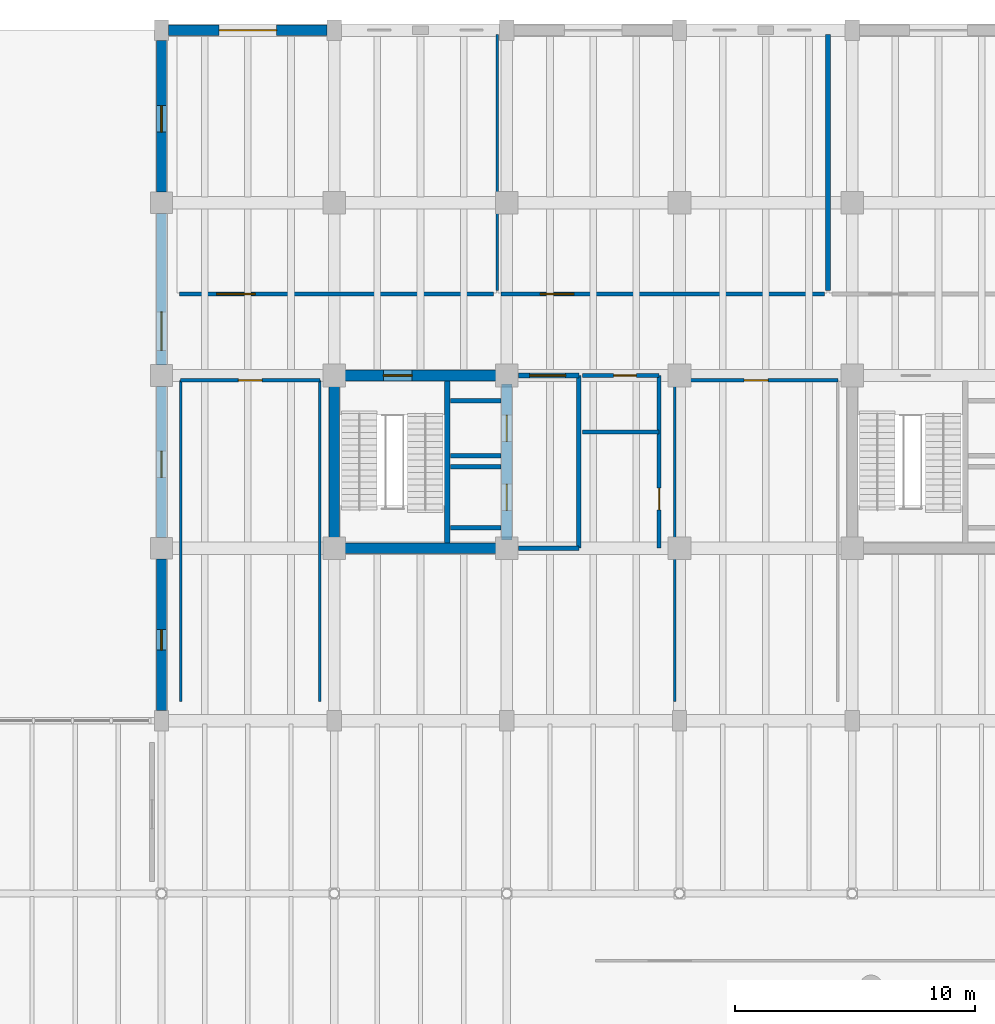
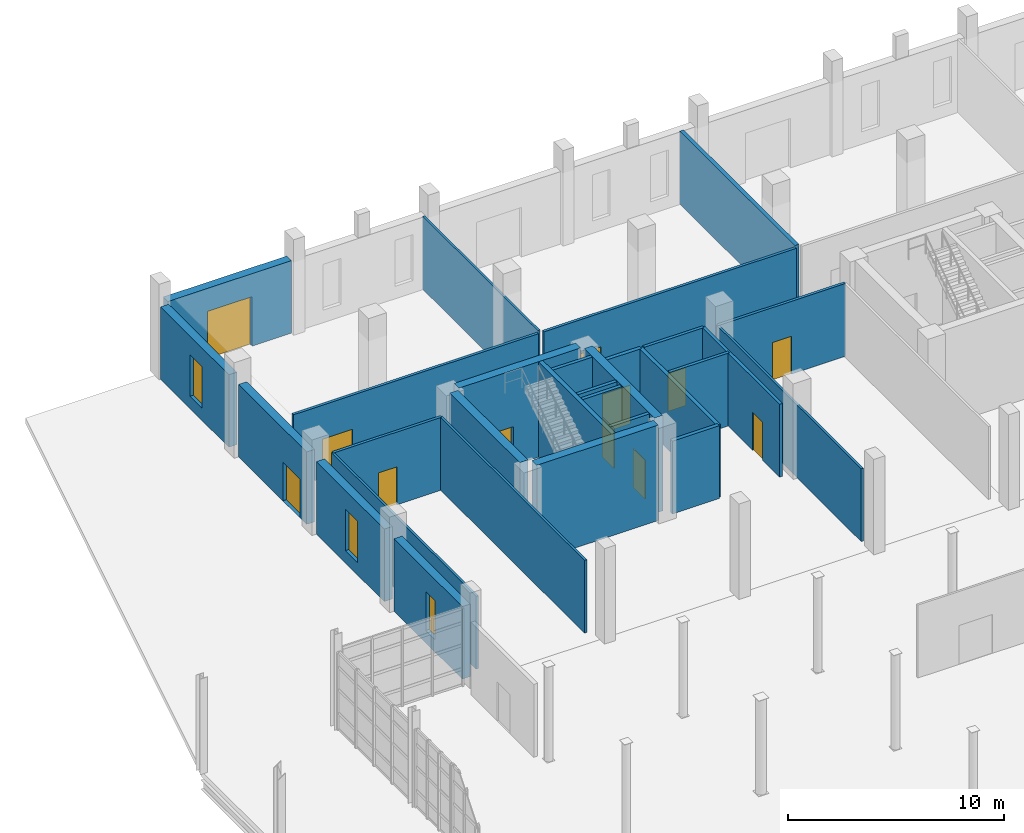
# One storey, part 67 of 79: 29 walls, 12 doors, 3 windows, 15 openings.
"""IFC4 building model written with IfcOpenShell, lengths in metres."""

from ifc_helpers import new_model, si_unit, direction, frame, frame_2d, origin, place, context, subcontext, project, spatial, rectangle, extrude, material, layer, layer_set, type_object, element, fill, save


model = new_model("IFC4")

# Units and contexts
model_context = context("Model", 3, precision=1e-05, world=origin(), true_north=direction((0.0, 1.0)))
body_context = subcontext(model_context, "Body", "Model", "MODEL_VIEW")
ifc_project = project(units=[si_unit("LENGTHUNIT", "METRE"), si_unit("AREAUNIT", "SQUARE_METRE"), si_unit("VOLUMEUNIT", "CUBIC_METRE"), si_unit("PLANEANGLEUNIT", "RADIAN"), si_unit("MASSUNIT", "GRAM", prefix="KILO")], contexts=[model_context])

# Site, building, storey
site_placement = place(None, origin())
site = spatial("IfcSite", under=ifc_project, at=site_placement, CompositionType="ELEMENT")
building_placement = place(site_placement, origin())
building = spatial("IfcBuilding", under=site, at=building_placement, Name="Qiaolan Assembly House", CompositionType="ELEMENT")
storey_placement = place(building_placement, origin())
storey = spatial("IfcBuildingStorey", under=building, at=storey_placement, Name="L00", CompositionType="ELEMENT", Elevation=0.0)

# Wall
ifc_material_1 = material(Name="Concrete C50/60", Category="concrete")
ifc_layer_1 = layer(ifc_material_1, 0.449951171875)
ifc_layer_set_1 = layer_set([ifc_layer_1], Name="Concrete C50/60")
wall_type_1 = type_object("IfcWallType", Name="WAL-CORE-450", PredefinedType="SHEAR", material=ifc_layer_set_1)
wall_1_placement = place(storey_placement, frame((43.550048828125, 93.60009765625, 0.0), z_axis=(0.0, 0.0, 1.0), x_axis=(1.0, 0.0, 0.0)))
element("IfcWall", 1, at=wall_1_placement, inside=storey, type_object=wall_type_1, Name="CW-450 shear core wall CORE-A S L00", PredefinedType="SHEAR", context=body_context, shape_type="SweptSolid", body=[
    extrude(rectangle(XDim=6.5, YDim=0.449951171875, at=frame_2d((3.25, 0.0))), origin(), (0.0, 0.0, 1.0), 5.39990234375),
])

# Wall, openings, doors
wall_2_placement = place(storey_placement, frame((50.39990234375, 93.949951171875, 0.0), z_axis=(0.0, 0.0, 1.0), x_axis=(0.0, 1.0, 0.0)))
wall_2 = element("IfcWall", 2, at=wall_2_placement, inside=storey, type_object=wall_type_1, Name="CW-450 shear core wall CORE-A E L00", PredefinedType="SHEAR", context=body_context, shape_type="SweptSolid", body=[
    extrude(rectangle(XDim=6.5, YDim=0.449951171875, at=frame_2d((3.25, 0.0))), origin(), (0.0, 0.0, 1.0), 5.39990234375),
])
opening_1_placement = place(wall_2_placement, frame((1.22509765625, 0.0, 0.0)))
opening_1 = element("IfcOpeningElement", 3, at=opening_1_placement, cuts=wall_2, Name="Opening LD-002", PredefinedType="OPENING", context=body_context, shape_type="SweptSolid", body=[
    extrude(rectangle(XDim=1.10009765625, YDim=2.199951171875, at=frame_2d((0.550048828125, 1.10009765625))), frame((0.0, 0.23486328125, 0.0), z_axis=(0.0, -1.0, 0.0), x_axis=(1.0, 0.0, 0.0)), (0.0, 0.0, 1.0), 0.469970703125),
])
opening_2_placement = place(wall_2_placement, frame((4.10009765625, 0.0, 0.0)))
opening_2 = element("IfcOpeningElement", 4, at=opening_2_placement, cuts=wall_2, Name="Opening LD-011", PredefinedType="OPENING", context=body_context, shape_type="SweptSolid", body=[
    extrude(rectangle(XDim=1.10009765625, YDim=2.199951171875, at=frame_2d((0.550048828125, 1.10009765625))), frame((0.0, 0.23486328125, 0.0), z_axis=(0.0, -1.0, 0.0), x_axis=(1.0, 0.0, 0.0)), (0.0, 0.0, 1.0), 0.469970703125),
])
ifc_material_2 = material(Name="Anodised bronze aluminium", Category="aluminium")
door_type_1 = type_object("IfcDoorType", Name="DOR-LIFT-LD1100", OperationType="SLIDING_TO_LEFT", PredefinedType="DOOR", material=ifc_material_2)
door_1_placement = place(opening_1_placement, origin())
door_1 = element("IfcDoor", 5, at=door_1_placement, inside=storey, type_object=door_type_1, Name="Lift landing door LD-002 (LF-01 L00)", OperationType="SLIDING_TO_LEFT", OverallHeight=2.199951171875, OverallWidth=1.10009765625, PredefinedType="DOOR", context=body_context, shape_type="SweptSolid", body=[
    extrude(rectangle(XDim=1.10009765625, YDim=2.199951171875, at=frame_2d((0.550048828125, 1.10009765625))), frame((0.0, 0.02490234375, 0.0), z_axis=(0.0, -1.0, 0.0), x_axis=(1.0, 0.0, 0.0)), (0.0, 0.0, 1.0), 0.050048828125),
])
fill(opening_1, door_1)
door_2_placement = place(opening_2_placement, origin())
door_2 = element("IfcDoor", 6, at=door_2_placement, inside=storey, type_object=door_type_1, Name="Lift landing door LD-011 (LF-02 L00)", OperationType="SLIDING_TO_LEFT", OverallHeight=2.199951171875, OverallWidth=1.10009765625, PredefinedType="DOOR", context=body_context, shape_type="SweptSolid", body=[
    extrude(rectangle(XDim=1.10009765625, YDim=2.199951171875, at=frame_2d((0.550048828125, 1.10009765625))), frame((0.0, 0.02490234375, 0.0), z_axis=(0.0, -1.0, 0.0), x_axis=(1.0, 0.0, 0.0)), (0.0, 0.0, 1.0), 0.050048828125),
])
fill(opening_2, door_2)

# Wall, opening, door
wall_3_placement = place(storey_placement, frame((50.050048828125, 100.800048828125, 0.0), z_axis=(0.0, 0.0, 1.0), x_axis=(-1.0, 0.0, 0.0)))
wall_3 = element("IfcWall", 7, at=wall_3_placement, inside=storey, type_object=wall_type_1, Name="CW-450 shear core wall CORE-A N L00", PredefinedType="SHEAR", context=body_context, shape_type="SweptSolid", body=[
    extrude(rectangle(XDim=6.5, YDim=0.449951171875, at=frame_2d((3.25, 0.0))), origin(), (0.0, 0.0, 1.0), 5.39990234375),
])
opening_3_placement = place(wall_3_placement, frame((3.60009765625, 0.0, 0.0)))
opening_3 = element("IfcOpeningElement", 8, at=opening_3_placement, cuts=wall_3, Name="Opening FD-003", PredefinedType="OPENING", context=body_context, shape_type="SweptSolid", body=[
    extrude(rectangle(XDim=1.199951171875, YDim=2.199951171875, at=frame_2d((0.60009765625, 1.10009765625))), frame((0.0, 0.23486328125, 0.0), z_axis=(0.0, -1.0, 0.0), x_axis=(1.0, 0.0, 0.0)), (0.0, 0.0, 1.0), 0.469970703125),
])
ifc_material_3 = material(Name="Steel Q355B", Category="steel")
door_type_2 = type_object("IfcDoorType", Name="DOR-FIRE-FD90-1200", OperationType="NOTDEFINED", PredefinedType="DOOR", material=ifc_material_3)
door_3_placement = place(opening_3_placement, frame((1.199951171875, 0.0, 0.0), z_axis=(0.0, 0.0, 1.0), x_axis=(-1.0, 0.0, 0.0)))
door_3 = element("IfcDoor", 9, at=door_3_placement, inside=storey, type_object=door_type_2, Name="Stairwell fire door FD-003 (CORE-A L00)", OperationType="SINGLE_SWING_LEFT", OverallHeight=2.199951171875, OverallWidth=1.199951171875, PredefinedType="DOOR", context=body_context, shape_type="SweptSolid", body=[
    extrude(rectangle(XDim=1.199951171875, YDim=2.199951171875, at=frame_2d((0.60009765625, 1.10009765625))), frame((0.0, 0.02490234375, 0.0), z_axis=(0.0, -1.0, 0.0), x_axis=(1.0, 0.0, 0.0)), (0.0, 0.0, 1.0), 0.050048828125),
])
fill(opening_3, door_3)

# Wall
wall_4_placement = place(storey_placement, frame((43.199951171875, 100.449951171875, 0.0), z_axis=(0.0, 0.0, 1.0), x_axis=(0.0, -1.0, 0.0)))
element("IfcWall", 10, at=wall_4_placement, inside=storey, type_object=wall_type_1, Name="CW-450 shear core wall CORE-A W L00", PredefinedType="SHEAR", context=body_context, shape_type="SweptSolid", body=[
    extrude(rectangle(XDim=6.5, YDim=0.449951171875, at=frame_2d((3.25, 0.0))), origin(), (0.0, 0.0, 1.0), 5.39990234375),
])

# Wall, opening, door
ifc_material_4 = material(Name="Honed pale limestone", Category="masonry")
ifc_layer_2 = layer(ifc_material_4, 0.43505859375)
ifc_layer_set_2 = layer_set([ifc_layer_2], Name="Honed pale limestone")
wall_type_2 = type_object("IfcWallType", Name="WAL-EXT-RUSTIC-420", PredefinedType="SOLIDWALL", material=ifc_layer_set_2)
wall_5_placement = place(storey_placement, frame((42.902099609375, 115.199951171875, 0.0), z_axis=(0.0, 0.0, 1.0), x_axis=(-1.0, 0.0, 0.0)))
wall_5 = element("IfcWall", 11, at=wall_5_placement, inside=storey, type_object=wall_type_2, Name="EW-420 NW North street wall L00 bay 1", PredefinedType="SOLIDWALL", context=body_context, shape_type="SweptSolid", body=[
    extrude(rectangle(XDim=6.60400390625, YDim=0.43505859375, at=frame_2d((3.302001953125, 0.0))), origin(), (0.0, 0.0, 1.0), 4.10009765625),
])
opening_4_placement = place(wall_5_placement, frame((2.10205078125, 0.0, 0.0)))
opening_4 = element("IfcOpeningElement", 12, at=opening_4_placement, cuts=wall_5, Name="Opening ED-001", PredefinedType="OPENING", context=body_context, shape_type="SweptSolid", body=[
    extrude(rectangle(XDim=2.39990234375, YDim=2.800048828125, at=frame_2d((1.199951171875, 1.39990234375))), frame((0.0, 0.2275390625, 0.0), z_axis=(0.0, -1.0, 0.0), x_axis=(1.0, 0.0, 0.0)), (0.0, 0.0, 1.0), 0.455078125),
])
door_type_3 = type_object("IfcDoorType", Name="DOR-ENTRY-MON-2400", OperationType="DOUBLE_DOOR_SINGLE_SWING", PredefinedType="DOOR", material=ifc_material_2)
door_4_placement = place(opening_4_placement, frame((2.39990234375, 0.0, 0.0), z_axis=(0.0, 0.0, 1.0), x_axis=(-1.0, 0.0, 0.0)))
door_4 = element("IfcDoor", 13, at=door_4_placement, inside=storey, type_object=door_type_3, Name="North Avenue civic entrance door ED-001", OperationType="DOUBLE_DOOR_SINGLE_SWING", OverallHeight=2.800048828125, OverallWidth=2.39990234375, PredefinedType="DOOR", context=body_context, shape_type="SweptSolid", body=[
    extrude(rectangle(XDim=2.39990234375, YDim=2.800048828125, at=frame_2d((1.199951171875, 1.39990234375))), frame((0.0, 0.02490234375, 0.0), z_axis=(0.0, -1.0, 0.0), x_axis=(1.0, 0.0, 0.0)), (0.0, 0.0, 1.0), 0.050048828125),
])
fill(opening_4, door_4)

# Wall, opening, window
wall_6_placement = place(storey_placement, frame((36.0, 86.822998046875, 0.0), z_axis=(0.0, 0.0, 1.0), x_axis=(0.0, 1.0, 0.0)))
wall_6 = element("IfcWall", 14, at=wall_6_placement, inside=storey, type_object=wall_type_2, Name="NW West avenue wall L00-1", PredefinedType="SOLIDWALL", context=body_context, shape_type="SweptSolid", body=[
    extrude(rectangle(XDim=6.3291015625, YDim=0.43505859375, at=frame_2d((3.16455078125, 0.0))), origin(), (0.0, 0.0, 1.0), 4.10009765625),
])
opening_5_placement = place(wall_6_placement, frame((2.527099609375, 0.0, 0.699951171875)))
opening_5 = element("IfcOpeningElement", 15, at=opening_5_placement, cuts=wall_6, Name="Opening WN-009", PredefinedType="OPENING", context=body_context, shape_type="SweptSolid", body=[
    extrude(rectangle(XDim=0.85009765625, YDim=2.199951171875, at=frame_2d((0.425048828125, 1.10009765625))), frame((0.0, 0.2275390625, 0.0), z_axis=(0.0, -1.0, 0.0), x_axis=(1.0, 0.0, 0.0)), (0.0, 0.0, 1.0), 0.455078125),
])
ifc_material_5 = material(Name="Low-E double insulating glass", Category="glass")
window_type_1 = type_object("IfcWindowType", Name="WIN-END-850x2200", PartitioningType="SINGLE_PANEL", PredefinedType="WINDOW", material=ifc_material_5)
window_1_placement = place(opening_5_placement, origin())
window_1 = element("IfcWindow", 16, at=window_1_placement, inside=storey, type_object=window_type_1, Name="NW West window WN-009", OverallHeight=2.199951171875, OverallWidth=0.85009765625, PartitioningType="SINGLE_PANEL", PredefinedType="WINDOW", context=body_context, shape_type="SweptSolid", body=[
    extrude(rectangle(XDim=0.85009765625, YDim=2.199951171875, at=frame_2d((0.425048828125, 1.10009765625))), frame((0.0, 0.030029296875, 0.0), z_axis=(0.0, -1.0, 0.0), x_axis=(1.0, 0.0, 0.0)), (0.0, 0.0, 1.0), 0.06005859375),
])
fill(opening_5, window_1)

wall_7_placement = place(storey_placement, frame((36.0, 94.048095703125, 0.0), z_axis=(0.0, 0.0, 1.0), x_axis=(0.0, 1.0, 0.0)))
wall_7 = element("IfcWall", 17, at=wall_7_placement, inside=storey, type_object=wall_type_2, Name="NW West avenue wall L00-2", PredefinedType="SOLIDWALL", context=body_context, shape_type="SweptSolid", body=[
    extrude(rectangle(XDim=6.303955078125, YDim=0.43505859375, at=frame_2d((3.15185546875, 0.0))), origin(), (0.0, 0.0, 1.0), 4.10009765625),
])
opening_6_placement = place(wall_7_placement, frame((2.501953125, 0.0, 0.699951171875)))
opening_6 = element("IfcOpeningElement", 18, at=opening_6_placement, cuts=wall_7, Name="Opening WN-011", PredefinedType="OPENING", context=body_context, shape_type="SweptSolid", body=[
    extrude(rectangle(XDim=1.10009765625, YDim=2.35009765625, at=frame_2d((0.550048828125, 1.175048828125))), frame((0.0, 0.2275390625, 0.0), z_axis=(0.0, -1.0, 0.0), x_axis=(1.0, 0.0, 0.0)), (0.0, 0.0, 1.0), 0.455078125),
])
window_type_2 = type_object("IfcWindowType", Name="WIN-BOX-1100x2350", PartitioningType="SINGLE_PANEL", PredefinedType="WINDOW", material=ifc_material_5)
window_2_placement = place(opening_6_placement, origin())
window_2 = element("IfcWindow", 19, at=window_2_placement, inside=storey, type_object=window_type_2, Name="NW West window WN-011", OverallHeight=2.35009765625, OverallWidth=1.10009765625, PartitioningType="SINGLE_PANEL", PredefinedType="WINDOW", context=body_context, shape_type="SweptSolid", body=[
    extrude(rectangle(XDim=1.10009765625, YDim=2.35009765625, at=frame_2d((0.550048828125, 1.175048828125))), frame((0.0, 0.030029296875, 0.0), z_axis=(0.0, -1.0, 0.0), x_axis=(1.0, 0.0, 0.0)), (0.0, 0.0, 1.0), 0.06005859375),
])
fill(opening_6, window_2)

# Wall, opening, door
wall_8_placement = place(storey_placement, frame((36.0, 101.248046875, 0.0), z_axis=(0.0, 0.0, 1.0), x_axis=(0.0, 1.0, 0.0)))
wall_8 = element("IfcWall", 20, at=wall_8_placement, inside=storey, type_object=wall_type_2, Name="NW West avenue wall L00-3", PredefinedType="SOLIDWALL", context=body_context, shape_type="SweptSolid", body=[
    extrude(rectangle(XDim=6.303955078125, YDim=0.43505859375, at=frame_2d((3.15185546875, 0.0))), origin(), (0.0, 0.0, 1.0), 4.10009765625),
])
opening_7_placement = place(wall_8_placement, frame((0.60205078125, 0.0, 0.0)))
opening_7 = element("IfcOpeningElement", 21, at=opening_7_placement, cuts=wall_8, Name="Opening ED-006", PredefinedType="OPENING", context=body_context, shape_type="SweptSolid", body=[
    extrude(rectangle(XDim=1.60009765625, YDim=2.199951171875, at=frame_2d((0.800048828125, 1.10009765625))), frame((0.0, 0.2275390625, 0.0), z_axis=(0.0, -1.0, 0.0), x_axis=(1.0, 0.0, 0.0)), (0.0, 0.0, 1.0), 0.455078125),
])
door_type_4 = type_object("IfcDoorType", Name="DOR-CORR-DBL-1800", OperationType="DOUBLE_DOOR_SINGLE_SWING", PredefinedType="DOOR", material=ifc_material_2)
door_5_placement = place(opening_7_placement, frame((1.60009765625, 0.0, 0.0), z_axis=(0.0, 0.0, 1.0), x_axis=(-1.0, 0.0, 0.0)))
door_5 = element("IfcDoor", 22, at=door_5_placement, inside=storey, type_object=door_type_4, Name="NW Wing West Forecourt final exit door ED-006", OperationType="DOUBLE_DOOR_SINGLE_SWING", OverallHeight=2.199951171875, OverallWidth=1.60009765625, PredefinedType="DOOR", context=body_context, shape_type="SweptSolid", body=[
    extrude(rectangle(XDim=1.60009765625, YDim=2.199951171875, at=frame_2d((0.800048828125, 1.10009765625))), frame((0.0, 0.02490234375, 0.0), z_axis=(0.0, -1.0, 0.0), x_axis=(1.0, 0.0, 0.0)), (0.0, 0.0, 1.0), 0.050048828125),
])
fill(opening_7, door_5)

# Wall, opening, window
wall_9_placement = place(storey_placement, frame((36.0, 108.447998046875, 0.0), z_axis=(0.0, 0.0, 1.0), x_axis=(0.0, 1.0, 0.0)))
wall_9 = element("IfcWall", 23, at=wall_9_placement, inside=storey, type_object=wall_type_2, Name="NW West avenue wall L00-4", PredefinedType="SOLIDWALL", context=body_context, shape_type="SweptSolid", body=[
    extrude(rectangle(XDim=6.3291015625, YDim=0.43505859375, at=frame_2d((3.16455078125, 0.0))), origin(), (0.0, 0.0, 1.0), 4.10009765625),
])
opening_8_placement = place(wall_9_placement, frame((2.501953125, 0.0, 0.699951171875)))
opening_8 = element("IfcOpeningElement", 24, at=opening_8_placement, cuts=wall_9, Name="Opening WN-014", PredefinedType="OPENING", context=body_context, shape_type="SweptSolid", body=[
    extrude(rectangle(XDim=1.10009765625, YDim=2.35009765625, at=frame_2d((0.550048828125, 1.175048828125))), frame((0.0, 0.2275390625, 0.0), z_axis=(0.0, -1.0, 0.0), x_axis=(1.0, 0.0, 0.0)), (0.0, 0.0, 1.0), 0.455078125),
])
window_3_placement = place(opening_8_placement, origin())
window_3 = element("IfcWindow", 25, at=window_3_placement, inside=storey, type_object=window_type_2, Name="NW West window WN-014", OverallHeight=2.35009765625, OverallWidth=1.10009765625, PartitioningType="SINGLE_PANEL", PredefinedType="WINDOW", context=body_context, shape_type="SweptSolid", body=[
    extrude(rectangle(XDim=1.10009765625, YDim=2.35009765625, at=frame_2d((0.550048828125, 1.175048828125))), frame((0.0, 0.030029296875, 0.0), z_axis=(0.0, -1.0, 0.0), x_axis=(1.0, 0.0, 0.0)), (0.0, 0.0, 1.0), 0.06005859375),
])
fill(opening_8, window_3)

# Walls
ifc_material_6 = material(Name="Concrete C35/45", Category="concrete")
ifc_layer_3 = layer(ifc_material_6, 0.199951171875)
ifc_layer_set_3 = layer_set([ifc_layer_3], Name="Concrete C35/45")
wall_type_3 = type_object("IfcWallType", Name="WAL-LOBBY-200", PredefinedType="PARTITIONING", material=ifc_layer_set_3)
wall_10_placement = place(storey_placement, frame((53.39990234375, 93.60009765625, 0.0), z_axis=(0.0, 0.0, 1.0), x_axis=(0.0, 1.0, 0.0)))
element("IfcWall", 26, at=wall_10_placement, inside=storey, type_object=wall_type_3, Name="Firefighting lift lobby east wall CORE-A L00", PredefinedType="PARTITIONING", context=body_context, shape_type="SweptSolid", body=[
    extrude(rectangle(XDim=7.199951171875, YDim=0.199951171875, at=frame_2d((3.60009765625, 0.0))), origin(), (0.0, 0.0, 1.0), 4.1201171875),
])
wall_11_placement = place(storey_placement, frame((50.8798828125, 93.60009765625, 0.0), z_axis=(0.0, 0.0, 1.0), x_axis=(1.0, 0.0, 0.0)))
element("IfcWall", 27, at=wall_11_placement, inside=storey, type_object=wall_type_3, Name="Firefighting lift lobby south wall CORE-A L00", PredefinedType="PARTITIONING", context=body_context, shape_type="SweptSolid", body=[
    extrude(rectangle(XDim=2.52001953125, YDim=0.199951171875, at=frame_2d((1.260009765625, 0.0))), origin(), (0.0, 0.0, 1.0), 4.1201171875),
])

# Wall, opening, door
wall_12_placement = place(storey_placement, frame((53.39990234375, 100.800048828125, 0.0), z_axis=(0.0, 0.0, 1.0), x_axis=(-1.0, 0.0, 0.0)))
wall_12 = element("IfcWall", 28, at=wall_12_placement, inside=storey, type_object=wall_type_3, Name="Firefighting lift lobby north wall CORE-A L00", PredefinedType="PARTITIONING", context=body_context, shape_type="SweptSolid", body=[
    extrude(rectangle(XDim=2.52001953125, YDim=0.199951171875, at=frame_2d((1.260009765625, 0.0))), origin(), (0.0, 0.0, 1.0), 4.1201171875),
])
opening_9_placement = place(wall_12_placement, frame((0.550048828125, 0.0, 0.0)))
opening_9 = element("IfcOpeningElement", 29, at=opening_9_placement, cuts=wall_12, Name="Opening FD-004", PredefinedType="OPENING", context=body_context, shape_type="SweptSolid", body=[
    extrude(rectangle(XDim=1.5, YDim=2.199951171875, at=frame_2d((0.75, 1.10009765625))), frame((0.0, 0.10986328125, 0.0), z_axis=(0.0, -1.0, 0.0), x_axis=(1.0, 0.0, 0.0)), (0.0, 0.0, 1.0), 0.219970703125),
])
ifc_material_7 = material(Name="Acoustic oak panelling")
door_type_5 = type_object("IfcDoorType", Name="DOR-LOBBY-FD60-1500", OperationType="DOUBLE_DOOR_SINGLE_SWING", PredefinedType="DOOR", material=ifc_material_7)
door_6_placement = place(opening_9_placement, frame((1.5, 0.0, 0.0), z_axis=(0.0, 0.0, 1.0), x_axis=(-1.0, 0.0, 0.0)))
door_6 = element("IfcDoor", 30, at=door_6_placement, inside=storey, type_object=door_type_5, Name="Lobby corridor fire door FD-004", OperationType="DOUBLE_DOOR_SINGLE_SWING", OverallHeight=2.199951171875, OverallWidth=1.5, PredefinedType="DOOR", context=body_context, shape_type="SweptSolid", body=[
    extrude(rectangle(XDim=1.5, YDim=2.199951171875, at=frame_2d((0.75, 1.10009765625))), frame((0.0, 0.02490234375, 0.0), z_axis=(0.0, -1.0, 0.0), x_axis=(1.0, 0.0, 0.0)), (0.0, 0.0, 1.0), 0.050048828125),
])
fill(opening_9, door_6)

# Walls
ifc_material_8 = material(Name="Gypsum plasterboard partition")
ifc_layer_4 = layer(ifc_material_8, 0.1201171875)
ifc_layer_set_4 = layer_set([ifc_layer_4], Name="Gypsum plasterboard partition")
wall_type_4 = type_object("IfcWallType", Name="WAL-PART-120", PredefinedType="PARTITIONING", material=ifc_layer_set_4)
wall_13_placement = place(storey_placement, frame((50.0, 104.35009765625, 0.0), z_axis=(0.0, 0.0, 1.0), x_axis=(0.0, 1.0, 0.0)))
element("IfcWall", 31, at=wall_13_placement, inside=storey, type_object=wall_type_4, Name="Municipal Document Registry & Cashier demising wall", PredefinedType="PARTITIONING", context=body_context, shape_type="SweptSolid", body=[
    extrude(rectangle(XDim=10.669921875, YDim=0.1201171875, at=frame_2d((5.3349609375, 0.0))), origin(), (0.0, 0.0, 1.0), 4.1201171875),
])
for number, where, z_axis, x_axis, name in (
    (32, (36.800048828125, 87.199951171875, 0.0), (0.0, 0.0, 1.0), (0.0, 1.0, 0.0), "Municipal Cashier & Security Vetting Office west wall"),
    (33, (42.60009765625, 100.60009765625, 0.0), (0.0, 0.0, 1.0), (0.0, -1.0, 0.0), "Municipal Cashier & Security Vetting Office east wall"),
    (34, (57.39990234375, 87.199951171875, 0.0), (0.0, 0.0, 1.0), (0.0, 1.0, 0.0), "Citizen Legal Aid & Ombudsman Consultation west wall"),
):
    element("IfcWall", number, at=place(storey_placement, frame(where, z_axis=z_axis, x_axis=x_axis)), inside=storey, type_object=wall_type_4, Name=name, PredefinedType="PARTITIONING", context=body_context, shape_type="SweptSolid", body=[
        extrude(rectangle(XDim=13.400146484375, YDim=0.1201171875, at=frame_2d((6.7001953125, 0.0))), origin(), (0.0, 0.0, 1.0), 4.1201171875),
    ])

# Wall, opening, door
ifc_layer_5 = layer(ifc_material_8, 0.14990234375)
ifc_layer_set_5 = layer_set([ifc_layer_5], Name="Gypsum plasterboard partition")
wall_type_5 = type_object("IfcWallType", Name="WAL-PART-150", PredefinedType="PARTITIONING", material=ifc_layer_set_5)
wall_14_placement = place(storey_placement, frame((36.75, 104.199951171875, 0.0), z_axis=(0.0, 0.0, 1.0), x_axis=(1.0, 0.0, 0.0)))
wall_14 = element("IfcWall", 35, at=wall_14_placement, inside=storey, type_object=wall_type_5, Name="Civic Reception & One-Stop Triage Desk corridor wall", PredefinedType="PARTITIONING", context=body_context, shape_type="SweptSolid", body=[
    extrude(rectangle(XDim=13.10009765625, YDim=0.14990234375, at=frame_2d((6.550048828125, 0.0))), origin(), (0.0, 0.0, 1.0), 4.1201171875),
])
opening_10_placement = place(wall_14_placement, frame((1.550048828125, 0.0, 0.0)))
opening_10 = element("IfcOpeningElement", 36, at=opening_10_placement, cuts=wall_14, Name="Opening ND-175", PredefinedType="OPENING", context=body_context, shape_type="SweptSolid", body=[
    extrude(rectangle(XDim=1.60009765625, YDim=2.199951171875, at=frame_2d((0.800048828125, 1.10009765625))), frame((0.0, 0.0849609375, 0.0), z_axis=(0.0, -1.0, 0.0), x_axis=(1.0, 0.0, 0.0)), (0.0, 0.0, 1.0), 0.169921875),
])
door_type_6 = type_object("IfcDoorType", Name="DOR-COMM-DBL-1600", OperationType="DOUBLE_DOOR_SINGLE_SWING", PredefinedType="DOOR", material=ifc_material_7)
door_7_placement = place(opening_10_placement, origin())
door_7 = element("IfcDoor", 37, at=door_7_placement, inside=storey, type_object=door_type_6, Name="Civic Reception & One-Stop Triage Desk door ND-175", OperationType="DOUBLE_DOOR_SINGLE_SWING", OverallHeight=2.199951171875, OverallWidth=1.60009765625, PredefinedType="DOOR", context=body_context, shape_type="SweptSolid", body=[
    extrude(rectangle(XDim=1.60009765625, YDim=2.199951171875, at=frame_2d((0.800048828125, 1.10009765625))), frame((0.0, 0.02490234375, 0.0), z_axis=(0.0, -1.0, 0.0), x_axis=(1.0, 0.0, 0.0)), (0.0, 0.0, 1.0), 0.050048828125),
])
fill(opening_10, door_7)

wall_15_placement = place(storey_placement, frame((50.14990234375, 104.199951171875, 0.0), z_axis=(0.0, 0.0, 1.0), x_axis=(1.0, 0.0, 0.0)))
wall_15 = element("IfcWall", 38, at=wall_15_placement, inside=storey, type_object=wall_type_5, Name="Municipal Document Registry & Cashier corridor wall", PredefinedType="PARTITIONING", context=body_context, shape_type="SweptSolid", body=[
    extrude(rectangle(XDim=13.5, YDim=0.14990234375, at=frame_2d((6.75, 0.0))), origin(), (0.0, 0.0, 1.0), 4.1201171875),
])
opening_11_placement = place(wall_15_placement, frame((1.64990234375, 0.0, 0.0)))
opening_11 = element("IfcOpeningElement", 39, at=opening_11_placement, cuts=wall_15, Name="Opening ND-176", PredefinedType="OPENING", context=body_context, shape_type="SweptSolid", body=[
    extrude(rectangle(XDim=1.39990234375, YDim=2.199951171875, at=frame_2d((0.699951171875, 1.10009765625))), frame((0.0, 0.0849609375, 0.0), z_axis=(0.0, -1.0, 0.0), x_axis=(1.0, 0.0, 0.0)), (0.0, 0.0, 1.0), 0.169921875),
])
door_type_7 = type_object("IfcDoorType", Name="DOR-ARCH-DBL-1400", OperationType="DOUBLE_DOOR_SINGLE_SWING", PredefinedType="DOOR", material=ifc_material_7)
door_8_placement = place(opening_11_placement, origin())
door_8 = element("IfcDoor", 40, at=door_8_placement, inside=storey, type_object=door_type_7, Name="Municipal Document Registry & Cashier door ND-176", OperationType="DOUBLE_DOOR_SINGLE_SWING", OverallHeight=2.199951171875, OverallWidth=1.39990234375, PredefinedType="DOOR", context=body_context, shape_type="SweptSolid", body=[
    extrude(rectangle(XDim=1.39990234375, YDim=2.199951171875, at=frame_2d((0.699951171875, 1.10009765625))), frame((0.0, 0.02490234375, 0.0), z_axis=(0.0, -1.0, 0.0), x_axis=(1.0, 0.0, 0.0)), (0.0, 0.0, 1.0), 0.050048828125),
])
fill(opening_11, door_8)

wall_16_placement = place(storey_placement, frame((42.60009765625, 100.60009765625, 0.0), z_axis=(0.0, 0.0, 1.0), x_axis=(-1.0, 0.0, 0.0)))
wall_16 = element("IfcWall", 41, at=wall_16_placement, inside=storey, type_object=wall_type_5, Name="Municipal Cashier & Security Vetting Office corridor wall", PredefinedType="PARTITIONING", context=body_context, shape_type="SweptSolid", body=[
    extrude(rectangle(XDim=5.800048828125, YDim=0.14990234375, at=frame_2d((2.89990234375, 0.0))), origin(), (0.0, 0.0, 1.0), 4.1201171875),
])
opening_12_placement = place(wall_16_placement, frame((2.39990234375, 0.0, 0.0)))
opening_12 = element("IfcOpeningElement", 42, at=opening_12_placement, cuts=wall_16, Name="Opening SD-180", PredefinedType="OPENING", context=body_context, shape_type="SweptSolid", body=[
    extrude(rectangle(XDim=1.0, YDim=2.14990234375, at=frame_2d((0.5, 1.074951171875))), frame((0.0, 0.0849609375, 0.0), z_axis=(0.0, -1.0, 0.0), x_axis=(1.0, 0.0, 0.0)), (0.0, 0.0, 1.0), 0.169921875),
])
door_type_8 = type_object("IfcDoorType", Name="DOR-OFF-SGL-1000", OperationType="NOTDEFINED", PredefinedType="DOOR", material=ifc_material_7)
door_9_placement = place(opening_12_placement, origin())
door_9 = element("IfcDoor", 43, at=door_9_placement, inside=storey, type_object=door_type_8, Name="Municipal Cashier & Security Vetting Office door SD-180", OperationType="SINGLE_SWING_RIGHT", OverallHeight=2.14990234375, OverallWidth=1.0, PredefinedType="DOOR", context=body_context, shape_type="SweptSolid", body=[
    extrude(rectangle(XDim=1.0, YDim=2.14990234375, at=frame_2d((0.5, 1.074951171875))), frame((0.0, 0.02490234375, 0.0), z_axis=(0.0, -1.0, 0.0), x_axis=(1.0, 0.0, 0.0)), (0.0, 0.0, 1.0), 0.050048828125),
])
fill(opening_12, door_9)

wall_17_placement = place(storey_placement, frame((64.199951171875, 100.60009765625, 0.0), z_axis=(0.0, 0.0, 1.0), x_axis=(-1.0, 0.0, 0.0)))
wall_17 = element("IfcWall", 44, at=wall_17_placement, inside=storey, type_object=wall_type_5, Name="Citizen Legal Aid & Ombudsman Consultation corridor wall", PredefinedType="PARTITIONING", context=body_context, shape_type="SweptSolid", body=[
    extrude(rectangle(XDim=6.800048828125, YDim=0.14990234375, at=frame_2d((3.39990234375, 0.0))), origin(), (0.0, 0.0, 1.0), 4.1201171875),
])
opening_13_placement = place(wall_17_placement, frame((2.89990234375, 0.0, 0.0)))
opening_13 = element("IfcOpeningElement", 45, at=opening_13_placement, cuts=wall_17, Name="Opening SD-181", PredefinedType="OPENING", context=body_context, shape_type="SweptSolid", body=[
    extrude(rectangle(XDim=1.0, YDim=2.14990234375, at=frame_2d((0.5, 1.074951171875))), frame((0.0, 0.0849609375, 0.0), z_axis=(0.0, -1.0, 0.0), x_axis=(1.0, 0.0, 0.0)), (0.0, 0.0, 1.0), 0.169921875),
])
door_10_placement = place(opening_13_placement, origin())
door_10 = element("IfcDoor", 46, at=door_10_placement, inside=storey, type_object=door_type_8, Name="Citizen Legal Aid & Ombudsman Consultation door SD-181", OperationType="SINGLE_SWING_LEFT", OverallHeight=2.14990234375, OverallWidth=1.0, PredefinedType="DOOR", context=body_context, shape_type="SweptSolid", body=[
    extrude(rectangle(XDim=1.0, YDim=2.14990234375, at=frame_2d((0.5, 1.074951171875))), frame((0.0, 0.02490234375, 0.0), z_axis=(0.0, -1.0, 0.0), x_axis=(1.0, 0.0, 0.0)), (0.0, 0.0, 1.0), 0.050048828125),
])
fill(opening_13, door_10)

# Walls
ifc_material_9 = material(Name="Gypsum acoustic stud wall")
ifc_layer_6 = layer(ifc_material_9, 0.2119140625)
ifc_layer_set_6 = layer_set([ifc_layer_6], Name="Gypsum acoustic stud wall")
wall_type_6 = type_object("IfcWallType", Name="WAL-PART-ACOUSTIC-200", PredefinedType="PARTITIONING", material=ifc_layer_set_6)
wall_18_placement = place(storey_placement, frame((63.800048828125, 104.35009765625, 0.0), z_axis=(0.0, 0.0, 1.0), x_axis=(0.0, 1.0, 0.0)))
element("IfcWall", 47, at=wall_18_placement, inside=storey, type_object=wall_type_6, Name="Citizen Consultation & Mediation Suite demising wall", PredefinedType="PARTITIONING", context=body_context, shape_type="SweptSolid", body=[
    extrude(rectangle(XDim=10.669921875, YDim=0.2119140625, at=frame_2d((5.3349609375, 0.0))), origin(), (0.0, 0.0, 1.0), 4.1201171875),
])
ifc_layer_7 = layer(ifc_material_6, 0.18505859375)
ifc_layer_set_7 = layer_set([ifc_layer_7], Name="Concrete C35/45")
wall_type_7 = type_object("IfcWallType", Name="WAL-SHAFT-200", PredefinedType="PARTITIONING", material=ifc_layer_set_7)
for number, where, z_axis, x_axis, name in (
    (48, (48.050048828125, 94.449951171875, 0.0), (0.0, 0.0, 1.0), (1.0, 0.0, 0.0), "SW-200 lift shaft wall LF-01 L00 DIVS"),
    (49, (48.050048828125, 97.0, 0.0), (0.0, 0.0, 1.0), (1.0, 0.0, 0.0), "SW-200 lift shaft wall LF-01 L00 DIVN"),
    (50, (48.050048828125, 97.449951171875, 0.0), (0.0, 0.0, 1.0), (1.0, 0.0, 0.0), "SW-200 lift shaft wall LF-02 L00 DIVS"),
    (51, (48.050048828125, 99.75, 0.0), (0.0, 0.0, 1.0), (1.0, 0.0, 0.0), "SW-200 lift shaft wall LF-02 L00 DIVN"),
):
    element("IfcWall", number, at=place(storey_placement, frame(where, z_axis=z_axis, x_axis=x_axis)), inside=storey, type_object=wall_type_7, Name=name, PredefinedType="PARTITIONING", context=body_context, shape_type="SweptSolid", body=[
        extrude(rectangle(XDim=2.099853515625, YDim=0.18505859375, at=frame_2d((1.0498046875, 0.0))), origin(), (0.0, 0.0, 1.0), 5.39990234375),
    ])
ifc_material_10 = material(Name="Concrete C40/50", Category="concrete")
ifc_layer_8 = layer(ifc_material_10, 0.22509765625)
ifc_layer_set_8 = layer_set([ifc_layer_8], Name="Concrete C40/50")
wall_type_8 = type_object("IfcWallType", Name="WAL-STAIR-DIV-225", PredefinedType="SHEAR", material=ifc_layer_set_8)
wall_19_placement = place(storey_placement, frame((47.919921875, 93.820068359375, 0.0), z_axis=(0.0, 0.0, 1.0), x_axis=(0.0, 1.0, 0.0)))
element("IfcWall", 52, at=wall_19_placement, inside=storey, type_object=wall_type_8, Name="SDW-225 stairwell structural spine wall CORE-A L00", PredefinedType="SHEAR", context=body_context, shape_type="SweptSolid", body=[
    extrude(rectangle(XDim=6.760009765625, YDim=0.22509765625, at=frame_2d((3.3798828125, 0.0))), origin(), (0.0, 0.0, 1.0), 5.39990234375),
])

# Wall, opening, door
ifc_material_11 = material(Name="Concrete C30/37", Category="concrete")
ifc_layer_9 = layer(ifc_material_11, 0.1650390625)
ifc_layer_set_9 = layer_set([ifc_layer_9], Name="Concrete C30/37")
wall_type_9 = type_object("IfcWallType", Name="WAL-WET-150", PredefinedType="PARTITIONING", material=ifc_layer_set_9)
wall_20_placement = place(storey_placement, frame((56.75, 93.60009765625, 0.0), z_axis=(0.0, 0.0, 1.0), x_axis=(0.0, 1.0, 0.0)))
wall_20 = element("IfcWall", 53, at=wall_20_placement, inside=storey, type_object=wall_type_9, Name="Public WC east wall CORE-A L00", PredefinedType="PARTITIONING", context=body_context, shape_type="SweptSolid", body=[
    extrude(rectangle(XDim=7.199951171875, YDim=0.1650390625, at=frame_2d((3.60009765625, 0.0))), origin(), (0.0, 0.0, 1.0), 4.1201171875),
])
opening_14_placement = place(wall_20_placement, frame((1.60009765625, 0.0, 0.0)))
opening_14 = element("IfcOpeningElement", 54, at=opening_14_placement, cuts=wall_20, Name="Opening WD-005", PredefinedType="OPENING", context=body_context, shape_type="SweptSolid", body=[
    extrude(rectangle(XDim=0.89990234375, YDim=2.14990234375, at=frame_2d((0.449951171875, 1.074951171875))), frame((0.0, 0.092529296875, 0.0), z_axis=(0.0, -1.0, 0.0), x_axis=(1.0, 0.0, 0.0)), (0.0, 0.0, 1.0), 0.18505859375),
])
door_type_9 = type_object("IfcDoorType", Name="DOR-WC-900", OperationType="NOTDEFINED", PredefinedType="DOOR", material=ifc_material_7)
door_11_placement = place(opening_14_placement, origin())
door_11 = element("IfcDoor", 55, at=door_11_placement, inside=storey, type_object=door_type_9, Name="Public Restroom door WD-005", OperationType="SINGLE_SWING_RIGHT", OverallHeight=2.14990234375, OverallWidth=0.89990234375, PredefinedType="DOOR", context=body_context, shape_type="SweptSolid", body=[
    extrude(rectangle(XDim=0.89990234375, YDim=2.14990234375, at=frame_2d((0.449951171875, 1.074951171875))), frame((0.0, 0.02490234375, 0.0), z_axis=(0.0, -1.0, 0.0), x_axis=(1.0, 0.0, 0.0)), (0.0, 0.0, 1.0), 0.050048828125),
])
fill(opening_14, door_11)

wall_21_placement = place(storey_placement, frame((56.75, 100.800048828125, 0.0), z_axis=(0.0, 0.0, 1.0), x_axis=(-1.0, 0.0, 0.0)))
wall_21 = element("IfcWall", 56, at=wall_21_placement, inside=storey, type_object=wall_type_9, Name="Accessible WC corridor wall CORE-A L00", PredefinedType="PARTITIONING", context=body_context, shape_type="SweptSolid", body=[
    extrude(rectangle(XDim=3.199951171875, YDim=0.1650390625, at=frame_2d((1.60009765625, 0.0))), origin(), (0.0, 0.0, 1.0), 4.1201171875),
])
opening_15_placement = place(wall_21_placement, frame((0.949951171875, 0.0, 0.0)))
opening_15 = element("IfcOpeningElement", 57, at=opening_15_placement, cuts=wall_21, Name="Opening AD-006", PredefinedType="OPENING", context=body_context, shape_type="SweptSolid", body=[
    extrude(rectangle(XDim=0.949951171875, YDim=2.14990234375, at=frame_2d((0.47509765625, 1.074951171875))), frame((0.0, 0.092529296875, 0.0), z_axis=(0.0, -1.0, 0.0), x_axis=(1.0, 0.0, 0.0)), (0.0, 0.0, 1.0), 0.18505859375),
])
door_type_10 = type_object("IfcDoorType", Name="DOR-ACC-WC-950", OperationType="NOTDEFINED", PredefinedType="DOOR", material=ifc_material_7)
door_12_placement = place(opening_15_placement, origin())
door_12 = element("IfcDoor", 58, at=door_12_placement, inside=storey, type_object=door_type_10, Name="Accessible Restroom door AD-006", OperationType="SINGLE_SWING_LEFT", OverallHeight=2.14990234375, OverallWidth=0.949951171875, PredefinedType="DOOR", context=body_context, shape_type="SweptSolid", body=[
    extrude(rectangle(XDim=0.949951171875, YDim=2.14990234375, at=frame_2d((0.47509765625, 1.074951171875))), frame((0.0, 0.02490234375, 0.0), z_axis=(0.0, -1.0, 0.0), x_axis=(1.0, 0.0, 0.0)), (0.0, 0.0, 1.0), 0.050048828125),
])
fill(opening_15, door_12)

# Wall
wall_22_placement = place(storey_placement, frame((53.550048828125, 98.449951171875, 0.0), z_axis=(0.0, 0.0, 1.0), x_axis=(1.0, 0.0, 0.0)))
element("IfcWall", 59, at=wall_22_placement, inside=storey, type_object=wall_type_9, Name="WC divider wall CORE-A L00", PredefinedType="PARTITIONING", context=body_context, shape_type="SweptSolid", body=[
    extrude(rectangle(XDim=3.199951171875, YDim=0.1650390625, at=frame_2d((1.60009765625, 0.0))), origin(), (0.0, 0.0, 1.0), 4.1201171875),
])

save(model, "model.ifc")
